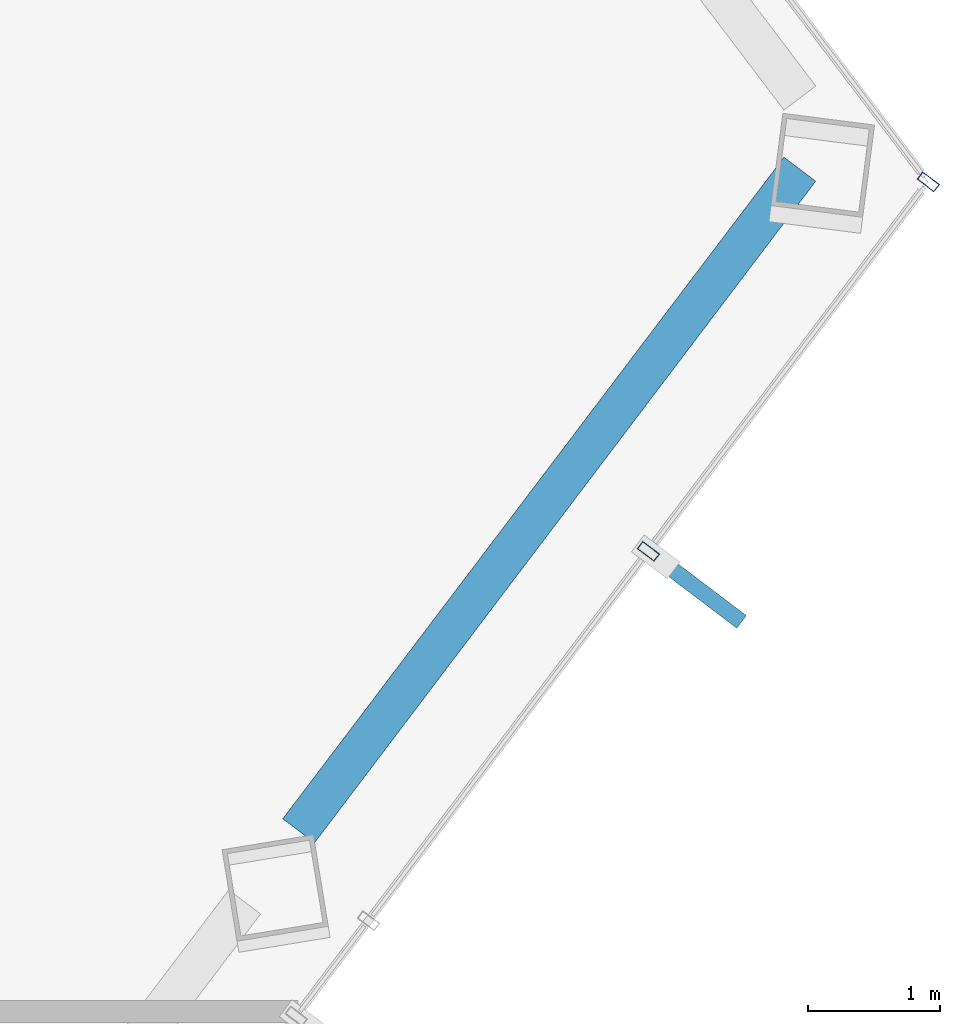
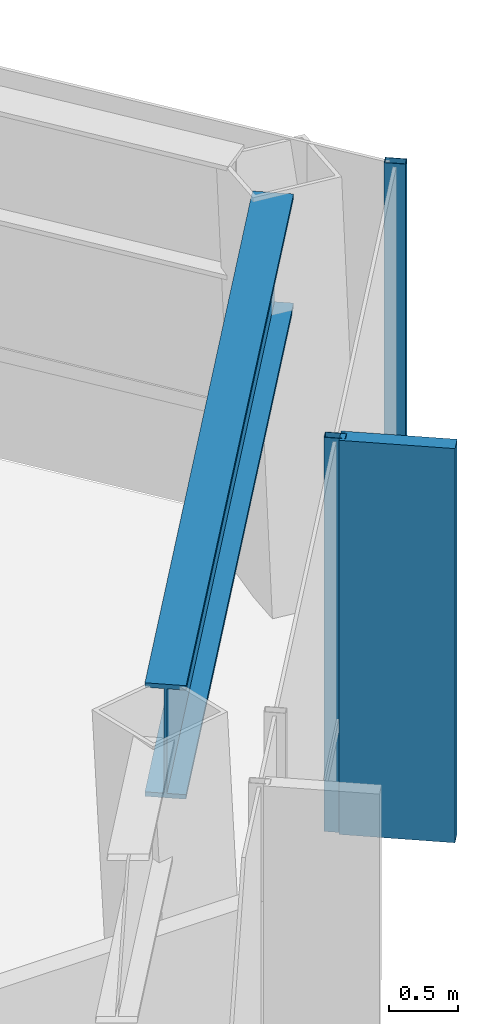
# One storey, part 20 of 27: 3 members, 1 beam, 1 element without a shape of its own.
"""IFC4 building model written with IfcOpenShell, lengths in metres."""

from ifc_helpers import new_model, si_unit, direction, frame, origin, origin_2d, place, context, subcontext, project, spatial, rectangle, hollow_rectangle, i_section, extrude, material, layer, layer_set, material_profile, profile_set, type_object, element, aggregate, save


model = new_model("IFC4")

# Units and contexts
model_context = context("Model", 3, precision=1e-05, world=origin(), true_north=direction((0.0, 1.0)))
body_context = subcontext(model_context, "Body", "Model", "MODEL_VIEW")
ifc_project = project(units=[si_unit("LENGTHUNIT", "METRE"), si_unit("AREAUNIT", "SQUARE_METRE"), si_unit("VOLUMEUNIT", "CUBIC_METRE"), si_unit("PLANEANGLEUNIT", "RADIAN"), si_unit("MASSUNIT", "GRAM", prefix="KILO")], contexts=[model_context])

# Site, building, storey
site_placement = place(None, origin())
site = spatial("IfcSite", under=ifc_project, at=site_placement, CompositionType="ELEMENT")
building_placement = place(site_placement, origin())
building = spatial("IfcBuilding", under=site, at=building_placement, Name="Zarrinselat Tower", CompositionType="ELEMENT")
storey_placement = place(building_placement, frame((0.0, 0.0, 172.0400390625)))
storey = spatial("IfcBuildingStorey", under=building, at=storey_placement, Name="L42", CompositionType="ELEMENT", Elevation=172.0400390625)

# Beam
ifc_material_1 = material(Name="Steel S460M", Category="steel")
ifc_material_profile_1 = material_profile(ifc_material_1, i_section(OverallWidth=0.302001953125, OverallDepth=1.008056640625, WebThickness=0.02099609375, FlangeThickness=0.0400390625, at=origin_2d()), Name="HEM 1000")
ifc_profile_set_1 = profile_set([ifc_material_profile_1], Name="Steel S460M")
beam_type = type_object("IfcBeamType", Name="BM-HEM1000", PredefinedType="BEAM", material=ifc_profile_set_1)
beam_placement = place(storey_placement, frame((58.24951171875, 35.1201171875, 2.995849609375), z_axis=(0.603865167121, 0.797086482094, 0.0), x_axis=(-0.797086482094, 0.603865167121, 0.0)))
element("IfcBeam", 1, at=beam_placement, inside=storey, type_object=beam_type, Name="L42 Perimeter Spandrel Girder SP14", PredefinedType="BEAM", context=body_context, shape_type="SweptSolid", body=[
    extrude(i_section(OverallWidth=0.302001953125, OverallDepth=1.008056640625, WebThickness=0.02099609375, FlangeThickness=0.0400390625, at=origin_2d()), origin(), (0.0, 0.0, 1.0), 6.284912109375),
])

# Curtain wall, members
ifc_material_2 = material(Name="Extruded Aluminium Alloy EN AW-6063 T6", Category="aluminium")
ifc_layer = layer(ifc_material_2, 0.175048828125)
ifc_layer_set = layer_set([ifc_layer], Name="Extruded Aluminium Alloy EN AW-6063 T6")
curtain_wall_type = type_object("IfcCurtainWallType", Name="CWS-HTL", PredefinedType="NOTDEFINED", material=ifc_layer_set)
curtain_wall_placement = place(storey_placement, origin())
curtain_wall = element("IfcCurtainWall", 2, at=curtain_wall_placement, inside=storey, type_object=curtain_wall_type, Name="L42 Unitised Curtain Wall CW-L42-E05", PredefinedType="NOTDEFINED")
ifc_material_3 = material(Name="Extruded Aluminium Alloy EN AW-6063 T6", Category="aluminium")
ifc_material_profile_2 = material_profile(ifc_material_3, hollow_rectangle(XDim=0.070068359375, YDim=0.159912109375, WallThickness=0.00390625, at=origin_2d()), Name="RHS 160x70x4")
ifc_profile_set_2 = profile_set([ifc_material_profile_2], Name="Extruded Aluminium Alloy EN AW-6063 T6")
member_type_1 = type_object("IfcMemberType", Name="MEM-CW-MUL2", PredefinedType="MULLION", material=ifc_profile_set_2)
member_1_placement = place(storey_placement, frame((60.89794921875, 37.236083984375, 0.0), z_axis=(0.0, 0.0, 1.0), x_axis=(0.603858853713, 0.797091265033, 0.0)))
member_1 = element("IfcMember", 3, at=member_1_placement, type_object=member_type_1, Name="CW-L42-E05 Mullion 9", PredefinedType="MULLION", context=body_context, shape_type="SweptSolid", body=[
    extrude(hollow_rectangle(XDim=0.070068359375, YDim=0.159912109375, WallThickness=0.00390625, at=origin_2d()), origin(), (0.0, 0.0, 1.0), 3.5),
])
member_2_placement = place(storey_placement, frame((63.017333984375, 40.03369140625, 0.0), z_axis=(0.0, 0.0, 1.0), x_axis=(0.603858853713, 0.797091265033, 0.0)))
member_2 = element("IfcMember", 4, at=member_2_placement, type_object=member_type_1, Name="CW-L42-E05 Mullion 10", PredefinedType="MULLION", context=body_context, shape_type="SweptSolid", body=[
    extrude(hollow_rectangle(XDim=0.070068359375, YDim=0.159912109375, WallThickness=0.00390625, at=origin_2d()), origin(), (0.0, 0.0, 1.0), 3.5),
])
ifc_material_4 = material(Name="Honed Cream Travertine Stone", Category="masonry")
ifc_material_profile_3 = material_profile(ifc_material_4, rectangle(XDim=0.1201171875, YDim=0.85009765625, at=origin_2d()), Name="FIN 850x120")
ifc_profile_set_3 = profile_set([ifc_material_profile_3], Name="Honed Cream Travertine Stone")
member_type_2 = type_object("IfcMemberType", Name="MEM-STONE-FIN", PredefinedType="USERDEFINED", material=ifc_profile_set_3)
member_3_placement = place(storey_placement, frame((61.2646484375, 36.95849609375, 0.0), z_axis=(0.0, 0.0, 1.0), x_axis=(-0.603858853713, -0.797091265033, 0.0)))
member_3 = element("IfcMember", 5, at=member_3_placement, type_object=member_type_2, Name="L42 Stone Shading Fin CW-L42-E05-09", ObjectType="FIN", PredefinedType="USERDEFINED", context=body_context, shape_type="SweptSolid", body=[
    extrude(rectangle(XDim=0.1201171875, YDim=0.85009765625, at=origin_2d()), origin(), (0.0, 0.0, 1.0), 3.5),
])
aggregate(curtain_wall, [member_1, member_3, member_2])

save(model, "model.ifc")
